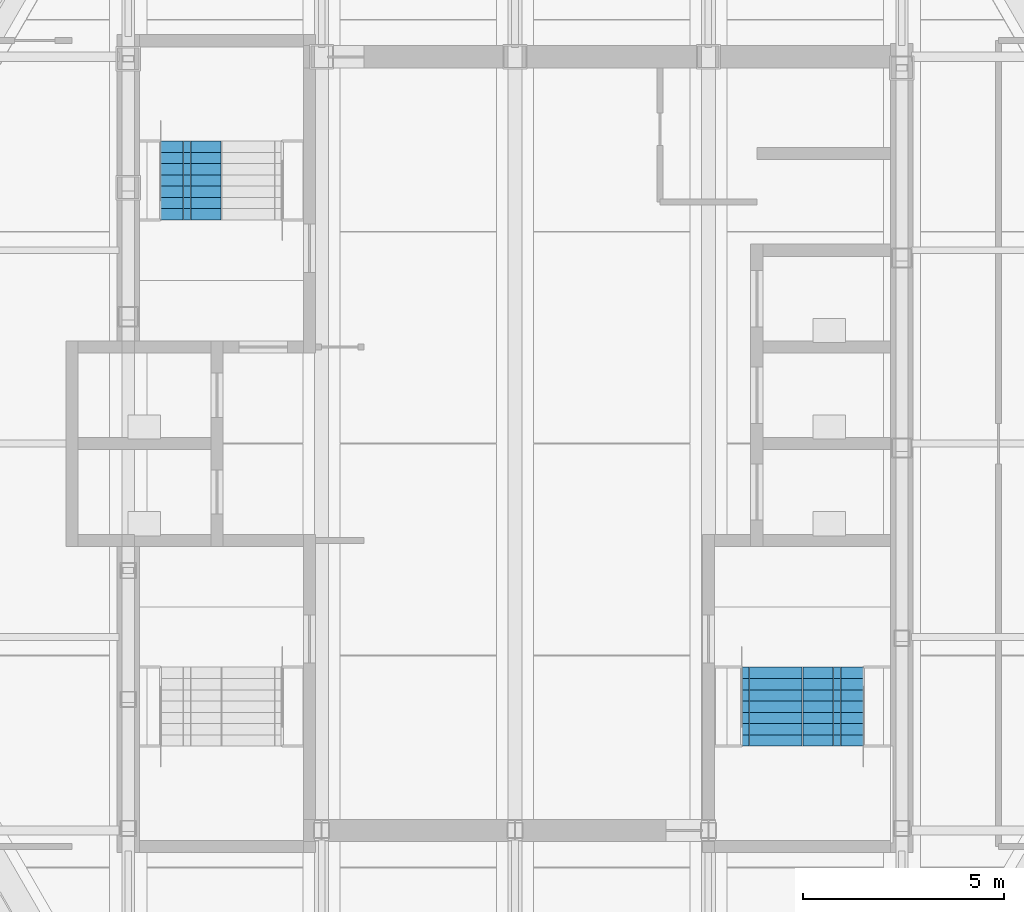
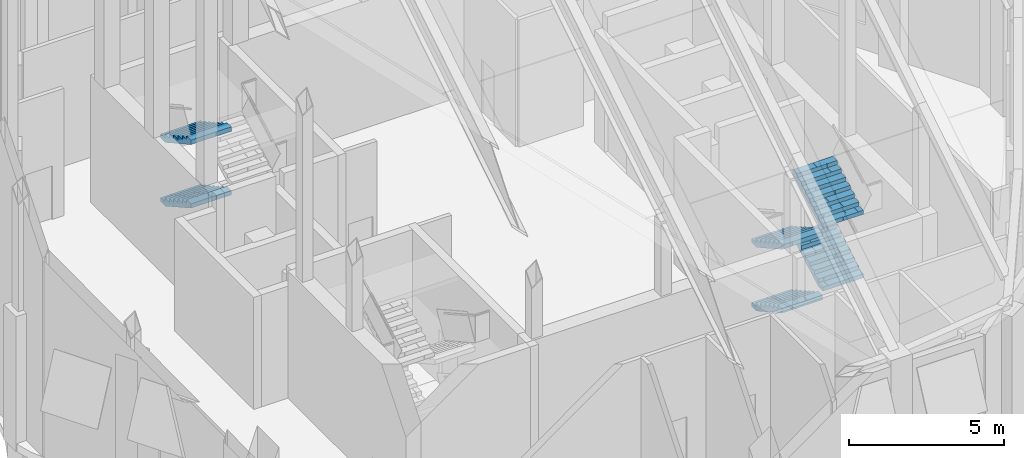
# One storey, part 13 of 25: 6 stair flights, 2 elements without a shape of their own.
"""IFC4 building model written with IfcOpenShell, lengths in metres."""

from ifc_helpers import new_model, si_unit, direction, frame, origin, place, context, subcontext, project, spatial, polyline, outline, extrude, material, type_object, element, aggregate, save


model = new_model("IFC4")

# Units and contexts
model_context = context("Model", 3, precision=1e-05, world=origin(), true_north=direction((0.0, 1.0)))
body_context = subcontext(model_context, "Body", "Model", "MODEL_VIEW")
ifc_project = project(units=[si_unit("LENGTHUNIT", "METRE"), si_unit("AREAUNIT", "SQUARE_METRE"), si_unit("VOLUMEUNIT", "CUBIC_METRE"), si_unit("PLANEANGLEUNIT", "RADIAN"), si_unit("MASSUNIT", "GRAM", prefix="KILO")], contexts=[model_context])

# Site, building, storey
site_placement = place(None, origin())
site = spatial("IfcSite", under=ifc_project, at=site_placement, CompositionType="ELEMENT")
building_placement = place(site_placement, origin())
building = spatial("IfcBuilding", under=site, at=building_placement, Name="Kolab Exchange Tower", CompositionType="ELEMENT")
storey_placement = place(building_placement, frame((0.0, 0.0, 301.89990234375)))
storey = spatial("IfcBuildingStorey", under=building, at=storey_placement, Name="L68", CompositionType="ELEMENT", Elevation=301.89990234375)

# Stair, stair flights
ifc_material = material(Name="Concrete C50/60", Category="concrete")
stair_type_1 = type_object("IfcStairType", Name="STAIR ST1 RISER 156.2", PredefinedType="DOUBLE_RETURN_STAIR", material=ifc_material)
stair_1_placement = place(storey_placement, origin())
stair_1 = element("IfcStair", 1, at=stair_1_placement, inside=storey, type_object=stair_type_1, Name="Stair 1", PredefinedType="DOUBLE_RETURN_STAIR")
stair_flight_type = type_object("IfcStairFlightType", Name="STAIR FLIGHT 1500 RISER 156.2", PredefinedType="STRAIGHT", material=ifc_material)
stair_flight_1_placement = place(storey_placement, frame((-8.047607421875, 7.510009765625, 1.25), z_axis=(0.0, 0.0, 1.0), x_axis=(0.0, -1.0, 0.0)))
stair_flight_1 = element("IfcStairFlight", 2, at=stair_flight_1_placement, type_object=stair_flight_type, Name="ST1 flight 2", NumberOfRisers=8, NumberOfTreads=7, PredefinedType="STRAIGHT", RiserHeight=0.15625, TreadLength=0.28, context=body_context, shape_type="SweptSolid", body=[
    extrude(outline(polyline([(0.0, 0.0), (0.0, 0.15625), (0.280029296875, 0.15625), (0.280029296875, 0.3125), (0.56005859375, 0.3125), (0.56005859375, 0.46875), (0.840087890625, 0.46875), (0.840087890625, 0.625), (1.1201171875, 0.625), (1.1201171875, 0.78125), (1.39990234375, 0.78125), (1.39990234375, 0.9375), (1.679931640625, 0.9375), (1.679931640625, 1.09375), (1.9599609375, 1.09375), (1.9599609375, 1.25), (1.9599609375, 0.922119140625), (0.3076171875, 0.0), (0.0, 0.0)])), frame((0.0, 0.75, 0.0), z_axis=(0.0, -1.0, 0.0), x_axis=(1.0, 0.0, 0.0)), (0.0, 0.0, 1.0), 0.185791015625),
    extrude(outline(polyline([(0.0, 0.0), (0.0, 0.15625), (0.280029296875, 0.15625), (0.280029296875, 0.3125), (0.56005859375, 0.3125), (0.56005859375, 0.46875), (0.840087890625, 0.46875), (0.840087890625, 0.625), (1.1201171875, 0.625), (1.1201171875, 0.78125), (1.39990234375, 0.78125), (1.39990234375, 0.9375), (1.679931640625, 0.9375), (1.679931640625, 1.09375), (1.9599609375, 1.09375), (1.9599609375, 1.25), (1.9599609375, 0.922119140625), (0.3076171875, 0.0), (0.0, 0.0)])), frame((0.0, 0.562255859375, 0.0), z_axis=(0.0, -1.0, 0.0), x_axis=(1.0, 0.0, 0.0)), (0.0, 0.0, 1.0), 0.185791015625),
    extrude(outline(polyline([(0.0, 0.0), (0.0, 0.15625), (0.280029296875, 0.15625), (0.280029296875, 0.3125), (0.56005859375, 0.3125), (0.56005859375, 0.46875), (0.840087890625, 0.46875), (0.840087890625, 0.625), (1.1201171875, 0.625), (1.1201171875, 0.78125), (1.39990234375, 0.78125), (1.39990234375, 0.9375), (1.679931640625, 0.9375), (1.679931640625, 1.09375), (1.9599609375, 1.09375), (1.9599609375, 1.25), (1.9599609375, 0.922119140625), (0.3076171875, 0.0), (0.0, 0.0)])), frame((0.0, 0.37451171875, 0.0), z_axis=(0.0, -1.0, 0.0), x_axis=(1.0, 0.0, 0.0)), (0.0, 0.0, 1.0), 0.185791015625),
    extrude(outline(polyline([(0.0, 0.0), (0.0, 0.15625), (0.280029296875, 0.15625), (0.280029296875, 0.3125), (0.56005859375, 0.3125), (0.56005859375, 0.46875), (0.840087890625, 0.46875), (0.840087890625, 0.625), (1.1201171875, 0.625), (1.1201171875, 0.78125), (1.39990234375, 0.78125), (1.39990234375, 0.9375), (1.679931640625, 0.9375), (1.679931640625, 1.09375), (1.9599609375, 1.09375), (1.9599609375, 1.25), (1.9599609375, 0.922119140625), (0.3076171875, 0.0), (0.0, 0.0)])), frame((0.0, 0.186767578125, 0.0), z_axis=(0.0, -1.0, 0.0), x_axis=(1.0, 0.0, 0.0)), (0.0, 0.0, 1.0), 0.185791015625),
    extrude(outline(polyline([(0.0, 0.0), (0.0, 0.15625), (0.280029296875, 0.15625), (0.280029296875, 0.3125), (0.56005859375, 0.3125), (0.56005859375, 0.46875), (0.840087890625, 0.46875), (0.840087890625, 0.625), (1.1201171875, 0.625), (1.1201171875, 0.78125), (1.39990234375, 0.78125), (1.39990234375, 0.9375), (1.679931640625, 0.9375), (1.679931640625, 1.09375), (1.9599609375, 1.09375), (1.9599609375, 1.25), (1.9599609375, 0.922119140625), (0.3076171875, 0.0), (0.0, 0.0)])), frame((0.0, -0.0009765625, 0.0), z_axis=(0.0, -1.0, 0.0), x_axis=(1.0, 0.0, 0.0)), (0.0, 0.0, 1.0), 0.185791015625),
    extrude(outline(polyline([(0.0, 0.0), (0.0, 0.15625), (0.280029296875, 0.15625), (0.280029296875, 0.3125), (0.56005859375, 0.3125), (0.56005859375, 0.46875), (0.840087890625, 0.46875), (0.840087890625, 0.625), (1.1201171875, 0.625), (1.1201171875, 0.78125), (1.39990234375, 0.78125), (1.39990234375, 0.9375), (1.679931640625, 0.9375), (1.679931640625, 1.09375), (1.9599609375, 1.09375), (1.9599609375, 1.25), (1.9599609375, 0.922119140625), (0.3076171875, 0.0), (0.0, 0.0)])), frame((0.0, -0.188720703125, 0.0), z_axis=(0.0, -1.0, 0.0), x_axis=(1.0, 0.0, 0.0)), (0.0, 0.0, 1.0), 0.185791015625),
    extrude(outline(polyline([(0.0, 0.0), (0.0, 0.15625), (0.280029296875, 0.15625), (0.280029296875, 0.3125), (0.56005859375, 0.3125), (0.56005859375, 0.46875), (0.840087890625, 0.46875), (0.840087890625, 0.625), (1.1201171875, 0.625), (1.1201171875, 0.78125), (1.39990234375, 0.78125), (1.39990234375, 0.9375), (1.679931640625, 0.9375), (1.679931640625, 1.09375), (1.9599609375, 1.09375), (1.9599609375, 1.25), (1.9599609375, 0.922119140625), (0.3076171875, 0.0), (0.0, 0.0)])), frame((0.0, -0.37646484375, 0.0), z_axis=(0.0, -1.0, 0.0), x_axis=(1.0, 0.0, 0.0)), (0.0, 0.0, 1.0), 0.185791015625),
    extrude(outline(polyline([(0.0, 0.0), (0.0, 0.15625), (0.280029296875, 0.15625), (0.280029296875, 0.3125), (0.56005859375, 0.3125), (0.56005859375, 0.46875), (0.840087890625, 0.46875), (0.840087890625, 0.625), (1.1201171875, 0.625), (1.1201171875, 0.78125), (1.39990234375, 0.78125), (1.39990234375, 0.9375), (1.679931640625, 0.9375), (1.679931640625, 1.09375), (1.9599609375, 1.09375), (1.9599609375, 1.25), (1.9599609375, 0.922119140625), (0.3076171875, 0.0), (0.0, 0.0)])), frame((0.0, -0.564208984375, 0.0), z_axis=(0.0, -1.0, 0.0), x_axis=(1.0, 0.0, 0.0)), (0.0, 0.0, 1.0), 0.185791015625),
])
stair_flight_2_placement = place(storey_placement, frame((-8.047607421875, 7.510009765625, 3.75), z_axis=(0.0, 0.0, 1.0), x_axis=(0.0, -1.0, 0.0)))
stair_flight_2 = element("IfcStairFlight", 3, at=stair_flight_2_placement, type_object=stair_flight_type, Name="ST1 flight 4", NumberOfRisers=8, NumberOfTreads=7, PredefinedType="STRAIGHT", RiserHeight=0.15625, TreadLength=0.28, context=body_context, shape_type="SweptSolid", body=[
    extrude(outline(polyline([(0.0, 0.0), (0.0, 0.15625), (0.280029296875, 0.15625), (0.280029296875, 0.3125), (0.56005859375, 0.3125), (0.56005859375, 0.46875), (0.840087890625, 0.46875), (0.840087890625, 0.625), (1.1201171875, 0.625), (1.1201171875, 0.78125), (1.39990234375, 0.78125), (1.39990234375, 0.9375), (1.679931640625, 0.9375), (1.679931640625, 1.09375), (1.9599609375, 1.09375), (1.9599609375, 1.25), (1.9599609375, 0.922119140625), (0.3076171875, 0.0), (0.0, 0.0)])), frame((0.0, 0.75, 0.0), z_axis=(0.0, -1.0, 0.0), x_axis=(1.0, 0.0, 0.0)), (0.0, 0.0, 1.0), 0.185791015625),
    extrude(outline(polyline([(0.0, 0.0), (0.0, 0.15625), (0.280029296875, 0.15625), (0.280029296875, 0.3125), (0.56005859375, 0.3125), (0.56005859375, 0.46875), (0.840087890625, 0.46875), (0.840087890625, 0.625), (1.1201171875, 0.625), (1.1201171875, 0.78125), (1.39990234375, 0.78125), (1.39990234375, 0.9375), (1.679931640625, 0.9375), (1.679931640625, 1.09375), (1.9599609375, 1.09375), (1.9599609375, 1.25), (1.9599609375, 0.922119140625), (0.3076171875, 0.0), (0.0, 0.0)])), frame((0.0, 0.562255859375, 0.0), z_axis=(0.0, -1.0, 0.0), x_axis=(1.0, 0.0, 0.0)), (0.0, 0.0, 1.0), 0.185791015625),
    extrude(outline(polyline([(0.0, 0.0), (0.0, 0.15625), (0.280029296875, 0.15625), (0.280029296875, 0.3125), (0.56005859375, 0.3125), (0.56005859375, 0.46875), (0.840087890625, 0.46875), (0.840087890625, 0.625), (1.1201171875, 0.625), (1.1201171875, 0.78125), (1.39990234375, 0.78125), (1.39990234375, 0.9375), (1.679931640625, 0.9375), (1.679931640625, 1.09375), (1.9599609375, 1.09375), (1.9599609375, 1.25), (1.9599609375, 0.922119140625), (0.3076171875, 0.0), (0.0, 0.0)])), frame((0.0, 0.37451171875, 0.0), z_axis=(0.0, -1.0, 0.0), x_axis=(1.0, 0.0, 0.0)), (0.0, 0.0, 1.0), 0.185791015625),
    extrude(outline(polyline([(0.0, 0.0), (0.0, 0.15625), (0.280029296875, 0.15625), (0.280029296875, 0.3125), (0.56005859375, 0.3125), (0.56005859375, 0.46875), (0.840087890625, 0.46875), (0.840087890625, 0.625), (1.1201171875, 0.625), (1.1201171875, 0.78125), (1.39990234375, 0.78125), (1.39990234375, 0.9375), (1.679931640625, 0.9375), (1.679931640625, 1.09375), (1.9599609375, 1.09375), (1.9599609375, 1.25), (1.9599609375, 0.922119140625), (0.3076171875, 0.0), (0.0, 0.0)])), frame((0.0, 0.186767578125, 0.0), z_axis=(0.0, -1.0, 0.0), x_axis=(1.0, 0.0, 0.0)), (0.0, 0.0, 1.0), 0.185791015625),
    extrude(outline(polyline([(0.0, 0.0), (0.0, 0.15625), (0.280029296875, 0.15625), (0.280029296875, 0.3125), (0.56005859375, 0.3125), (0.56005859375, 0.46875), (0.840087890625, 0.46875), (0.840087890625, 0.625), (1.1201171875, 0.625), (1.1201171875, 0.78125), (1.39990234375, 0.78125), (1.39990234375, 0.9375), (1.679931640625, 0.9375), (1.679931640625, 1.09375), (1.9599609375, 1.09375), (1.9599609375, 1.25), (1.9599609375, 0.922119140625), (0.3076171875, 0.0), (0.0, 0.0)])), frame((0.0, -0.0009765625, 0.0), z_axis=(0.0, -1.0, 0.0), x_axis=(1.0, 0.0, 0.0)), (0.0, 0.0, 1.0), 0.185791015625),
    extrude(outline(polyline([(0.0, 0.0), (0.0, 0.15625), (0.280029296875, 0.15625), (0.280029296875, 0.3125), (0.56005859375, 0.3125), (0.56005859375, 0.46875), (0.840087890625, 0.46875), (0.840087890625, 0.625), (1.1201171875, 0.625), (1.1201171875, 0.78125), (1.39990234375, 0.78125), (1.39990234375, 0.9375), (1.679931640625, 0.9375), (1.679931640625, 1.09375), (1.9599609375, 1.09375), (1.9599609375, 1.25), (1.9599609375, 0.922119140625), (0.3076171875, 0.0), (0.0, 0.0)])), frame((0.0, -0.188720703125, 0.0), z_axis=(0.0, -1.0, 0.0), x_axis=(1.0, 0.0, 0.0)), (0.0, 0.0, 1.0), 0.185791015625),
    extrude(outline(polyline([(0.0, 0.0), (0.0, 0.15625), (0.280029296875, 0.15625), (0.280029296875, 0.3125), (0.56005859375, 0.3125), (0.56005859375, 0.46875), (0.840087890625, 0.46875), (0.840087890625, 0.625), (1.1201171875, 0.625), (1.1201171875, 0.78125), (1.39990234375, 0.78125), (1.39990234375, 0.9375), (1.679931640625, 0.9375), (1.679931640625, 1.09375), (1.9599609375, 1.09375), (1.9599609375, 1.25), (1.9599609375, 0.922119140625), (0.3076171875, 0.0), (0.0, 0.0)])), frame((0.0, -0.37646484375, 0.0), z_axis=(0.0, -1.0, 0.0), x_axis=(1.0, 0.0, 0.0)), (0.0, 0.0, 1.0), 0.185791015625),
    extrude(outline(polyline([(0.0, 0.0), (0.0, 0.15625), (0.280029296875, 0.15625), (0.280029296875, 0.3125), (0.56005859375, 0.3125), (0.56005859375, 0.46875), (0.840087890625, 0.46875), (0.840087890625, 0.625), (1.1201171875, 0.625), (1.1201171875, 0.78125), (1.39990234375, 0.78125), (1.39990234375, 0.9375), (1.679931640625, 0.9375), (1.679931640625, 1.09375), (1.9599609375, 1.09375), (1.9599609375, 1.25), (1.9599609375, 0.922119140625), (0.3076171875, 0.0), (0.0, 0.0)])), frame((0.0, -0.564208984375, 0.0), z_axis=(0.0, -1.0, 0.0), x_axis=(1.0, 0.0, 0.0)), (0.0, 0.0, 1.0), 0.185791015625),
])
aggregate(stair_1, [stair_flight_1, stair_flight_2])

stair_type_2 = type_object("IfcStairType", Name="STAIR ST2 RISER 156.2", PredefinedType="DOUBLE_RETURN_STAIR", material=ifc_material)
stair_2_placement = place(storey_placement, origin())
stair_2 = element("IfcStair", 4, at=stair_2_placement, inside=storey, type_object=stair_type_2, Name="Stair 2", PredefinedType="DOUBLE_RETURN_STAIR")
stair_flight_3_placement = place(storey_placement, frame((6.37744140625, -5.550048828125, 0.0), z_axis=(0.0, 0.0, 1.0), x_axis=(0.0, -1.0, 0.0)))
stair_flight_3 = element("IfcStairFlight", 5, at=stair_flight_3_placement, type_object=stair_flight_type, Name="ST2 flight 1", NumberOfRisers=8, NumberOfTreads=7, PredefinedType="STRAIGHT", RiserHeight=0.15625, TreadLength=0.28, context=body_context, shape_type="SweptSolid", body=[
    extrude(outline(polyline([(0.0, 0.0), (0.0, 0.15625), (0.280029296875, 0.15625), (0.280029296875, 0.3125), (0.56005859375, 0.3125), (0.56005859375, 0.46875), (0.840087890625, 0.46875), (0.840087890625, 0.625), (1.1201171875, 0.625), (1.1201171875, 0.78125), (1.39990234375, 0.78125), (1.39990234375, 0.9375), (1.679931640625, 0.9375), (1.679931640625, 1.09375), (1.9599609375, 1.09375), (1.9599609375, 1.25), (1.9599609375, 0.922119140625), (0.3076171875, 0.0), (0.0, 0.0)])), frame((0.0, 0.75, 0.0), z_axis=(0.0, -1.0, 0.0), x_axis=(1.0, 0.0, 0.0)), (0.0, 0.0, 1.0), 0.185791015625),
    extrude(outline(polyline([(0.0, 0.0), (0.0, 0.15625), (0.280029296875, 0.15625), (0.280029296875, 0.3125), (0.56005859375, 0.3125), (0.56005859375, 0.46875), (0.840087890625, 0.46875), (0.840087890625, 0.625), (1.1201171875, 0.625), (1.1201171875, 0.78125), (1.39990234375, 0.78125), (1.39990234375, 0.9375), (1.679931640625, 0.9375), (1.679931640625, 1.09375), (1.9599609375, 1.09375), (1.9599609375, 1.25), (1.9599609375, 0.922119140625), (0.3076171875, 0.0), (0.0, 0.0)])), frame((0.0, 0.562255859375, 0.0), z_axis=(0.0, -1.0, 0.0), x_axis=(1.0, 0.0, 0.0)), (0.0, 0.0, 1.0), 0.185791015625),
    extrude(outline(polyline([(0.0, 0.0), (0.0, 0.15625), (0.280029296875, 0.15625), (0.280029296875, 0.3125), (0.56005859375, 0.3125), (0.56005859375, 0.46875), (0.840087890625, 0.46875), (0.840087890625, 0.625), (1.1201171875, 0.625), (1.1201171875, 0.78125), (1.39990234375, 0.78125), (1.39990234375, 0.9375), (1.679931640625, 0.9375), (1.679931640625, 1.09375), (1.9599609375, 1.09375), (1.9599609375, 1.25), (1.9599609375, 0.922119140625), (0.3076171875, 0.0), (0.0, 0.0)])), frame((0.0, 0.37451171875, 0.0), z_axis=(0.0, -1.0, 0.0), x_axis=(1.0, 0.0, 0.0)), (0.0, 0.0, 1.0), 0.185791015625),
    extrude(outline(polyline([(0.0, 0.0), (0.0, 0.15625), (0.280029296875, 0.15625), (0.280029296875, 0.3125), (0.56005859375, 0.3125), (0.56005859375, 0.46875), (0.840087890625, 0.46875), (0.840087890625, 0.625), (1.1201171875, 0.625), (1.1201171875, 0.78125), (1.39990234375, 0.78125), (1.39990234375, 0.9375), (1.679931640625, 0.9375), (1.679931640625, 1.09375), (1.9599609375, 1.09375), (1.9599609375, 1.25), (1.9599609375, 0.922119140625), (0.3076171875, 0.0), (0.0, 0.0)])), frame((0.0, 0.186767578125, 0.0), z_axis=(0.0, -1.0, 0.0), x_axis=(1.0, 0.0, 0.0)), (0.0, 0.0, 1.0), 0.185791015625),
    extrude(outline(polyline([(0.0, 0.0), (0.0, 0.15625), (0.280029296875, 0.15625), (0.280029296875, 0.3125), (0.56005859375, 0.3125), (0.56005859375, 0.46875), (0.840087890625, 0.46875), (0.840087890625, 0.625), (1.1201171875, 0.625), (1.1201171875, 0.78125), (1.39990234375, 0.78125), (1.39990234375, 0.9375), (1.679931640625, 0.9375), (1.679931640625, 1.09375), (1.9599609375, 1.09375), (1.9599609375, 1.25), (1.9599609375, 0.922119140625), (0.3076171875, 0.0), (0.0, 0.0)])), frame((0.0, -0.0009765625, 0.0), z_axis=(0.0, -1.0, 0.0), x_axis=(1.0, 0.0, 0.0)), (0.0, 0.0, 1.0), 0.185791015625),
    extrude(outline(polyline([(0.0, 0.0), (0.0, 0.15625), (0.280029296875, 0.15625), (0.280029296875, 0.3125), (0.56005859375, 0.3125), (0.56005859375, 0.46875), (0.840087890625, 0.46875), (0.840087890625, 0.625), (1.1201171875, 0.625), (1.1201171875, 0.78125), (1.39990234375, 0.78125), (1.39990234375, 0.9375), (1.679931640625, 0.9375), (1.679931640625, 1.09375), (1.9599609375, 1.09375), (1.9599609375, 1.25), (1.9599609375, 0.922119140625), (0.3076171875, 0.0), (0.0, 0.0)])), frame((0.0, -0.188720703125, 0.0), z_axis=(0.0, -1.0, 0.0), x_axis=(1.0, 0.0, 0.0)), (0.0, 0.0, 1.0), 0.185791015625),
    extrude(outline(polyline([(0.0, 0.0), (0.0, 0.15625), (0.280029296875, 0.15625), (0.280029296875, 0.3125), (0.56005859375, 0.3125), (0.56005859375, 0.46875), (0.840087890625, 0.46875), (0.840087890625, 0.625), (1.1201171875, 0.625), (1.1201171875, 0.78125), (1.39990234375, 0.78125), (1.39990234375, 0.9375), (1.679931640625, 0.9375), (1.679931640625, 1.09375), (1.9599609375, 1.09375), (1.9599609375, 1.25), (1.9599609375, 0.922119140625), (0.3076171875, 0.0), (0.0, 0.0)])), frame((0.0, -0.37646484375, 0.0), z_axis=(0.0, -1.0, 0.0), x_axis=(1.0, 0.0, 0.0)), (0.0, 0.0, 1.0), 0.185791015625),
    extrude(outline(polyline([(0.0, 0.0), (0.0, 0.15625), (0.280029296875, 0.15625), (0.280029296875, 0.3125), (0.56005859375, 0.3125), (0.56005859375, 0.46875), (0.840087890625, 0.46875), (0.840087890625, 0.625), (1.1201171875, 0.625), (1.1201171875, 0.78125), (1.39990234375, 0.78125), (1.39990234375, 0.9375), (1.679931640625, 0.9375), (1.679931640625, 1.09375), (1.9599609375, 1.09375), (1.9599609375, 1.25), (1.9599609375, 0.922119140625), (0.3076171875, 0.0), (0.0, 0.0)])), frame((0.0, -0.564208984375, 0.0), z_axis=(0.0, -1.0, 0.0), x_axis=(1.0, 0.0, 0.0)), (0.0, 0.0, 1.0), 0.185791015625),
])
stair_flight_4_placement = place(storey_placement, frame((7.8974609375, -7.510009765625, 1.25), z_axis=(0.0, 0.0, 1.0), x_axis=(0.0, 1.0, 0.0)))
stair_flight_4 = element("IfcStairFlight", 6, at=stair_flight_4_placement, type_object=stair_flight_type, Name="ST2 flight 2", NumberOfRisers=8, NumberOfTreads=7, PredefinedType="STRAIGHT", RiserHeight=0.15625, TreadLength=0.28, context=body_context, shape_type="SweptSolid", body=[
    extrude(outline(polyline([(0.0, 0.0), (0.0, 0.15625), (0.280029296875, 0.15625), (0.280029296875, 0.3125), (0.56005859375, 0.3125), (0.56005859375, 0.46875), (0.840087890625, 0.46875), (0.840087890625, 0.625), (1.1201171875, 0.625), (1.1201171875, 0.78125), (1.39990234375, 0.78125), (1.39990234375, 0.9375), (1.679931640625, 0.9375), (1.679931640625, 1.09375), (1.9599609375, 1.09375), (1.9599609375, 1.25), (1.9599609375, 0.922119140625), (0.3076171875, 0.0), (0.0, 0.0)])), frame((0.0, 0.75, 0.0), z_axis=(0.0, -1.0, 0.0), x_axis=(1.0, 0.0, 0.0)), (0.0, 0.0, 1.0), 0.185791015625),
    extrude(outline(polyline([(0.0, 0.0), (0.0, 0.15625), (0.280029296875, 0.15625), (0.280029296875, 0.3125), (0.56005859375, 0.3125), (0.56005859375, 0.46875), (0.840087890625, 0.46875), (0.840087890625, 0.625), (1.1201171875, 0.625), (1.1201171875, 0.78125), (1.39990234375, 0.78125), (1.39990234375, 0.9375), (1.679931640625, 0.9375), (1.679931640625, 1.09375), (1.9599609375, 1.09375), (1.9599609375, 1.25), (1.9599609375, 0.922119140625), (0.3076171875, 0.0), (0.0, 0.0)])), frame((0.0, 0.562255859375, 0.0), z_axis=(0.0, -1.0, 0.0), x_axis=(1.0, 0.0, 0.0)), (0.0, 0.0, 1.0), 0.185791015625),
    extrude(outline(polyline([(0.0, 0.0), (0.0, 0.15625), (0.280029296875, 0.15625), (0.280029296875, 0.3125), (0.56005859375, 0.3125), (0.56005859375, 0.46875), (0.840087890625, 0.46875), (0.840087890625, 0.625), (1.1201171875, 0.625), (1.1201171875, 0.78125), (1.39990234375, 0.78125), (1.39990234375, 0.9375), (1.679931640625, 0.9375), (1.679931640625, 1.09375), (1.9599609375, 1.09375), (1.9599609375, 1.25), (1.9599609375, 0.922119140625), (0.3076171875, 0.0), (0.0, 0.0)])), frame((0.0, 0.37451171875, 0.0), z_axis=(0.0, -1.0, 0.0), x_axis=(1.0, 0.0, 0.0)), (0.0, 0.0, 1.0), 0.185791015625),
    extrude(outline(polyline([(0.0, 0.0), (0.0, 0.15625), (0.280029296875, 0.15625), (0.280029296875, 0.3125), (0.56005859375, 0.3125), (0.56005859375, 0.46875), (0.840087890625, 0.46875), (0.840087890625, 0.625), (1.1201171875, 0.625), (1.1201171875, 0.78125), (1.39990234375, 0.78125), (1.39990234375, 0.9375), (1.679931640625, 0.9375), (1.679931640625, 1.09375), (1.9599609375, 1.09375), (1.9599609375, 1.25), (1.9599609375, 0.922119140625), (0.3076171875, 0.0), (0.0, 0.0)])), frame((0.0, 0.186767578125, 0.0), z_axis=(0.0, -1.0, 0.0), x_axis=(1.0, 0.0, 0.0)), (0.0, 0.0, 1.0), 0.185791015625),
    extrude(outline(polyline([(0.0, 0.0), (0.0, 0.15625), (0.280029296875, 0.15625), (0.280029296875, 0.3125), (0.56005859375, 0.3125), (0.56005859375, 0.46875), (0.840087890625, 0.46875), (0.840087890625, 0.625), (1.1201171875, 0.625), (1.1201171875, 0.78125), (1.39990234375, 0.78125), (1.39990234375, 0.9375), (1.679931640625, 0.9375), (1.679931640625, 1.09375), (1.9599609375, 1.09375), (1.9599609375, 1.25), (1.9599609375, 0.922119140625), (0.3076171875, 0.0), (0.0, 0.0)])), frame((0.0, -0.0009765625, 0.0), z_axis=(0.0, -1.0, 0.0), x_axis=(1.0, 0.0, 0.0)), (0.0, 0.0, 1.0), 0.185791015625),
    extrude(outline(polyline([(0.0, 0.0), (0.0, 0.15625), (0.280029296875, 0.15625), (0.280029296875, 0.3125), (0.56005859375, 0.3125), (0.56005859375, 0.46875), (0.840087890625, 0.46875), (0.840087890625, 0.625), (1.1201171875, 0.625), (1.1201171875, 0.78125), (1.39990234375, 0.78125), (1.39990234375, 0.9375), (1.679931640625, 0.9375), (1.679931640625, 1.09375), (1.9599609375, 1.09375), (1.9599609375, 1.25), (1.9599609375, 0.922119140625), (0.3076171875, 0.0), (0.0, 0.0)])), frame((0.0, -0.188720703125, 0.0), z_axis=(0.0, -1.0, 0.0), x_axis=(1.0, 0.0, 0.0)), (0.0, 0.0, 1.0), 0.185791015625),
    extrude(outline(polyline([(0.0, 0.0), (0.0, 0.15625), (0.280029296875, 0.15625), (0.280029296875, 0.3125), (0.56005859375, 0.3125), (0.56005859375, 0.46875), (0.840087890625, 0.46875), (0.840087890625, 0.625), (1.1201171875, 0.625), (1.1201171875, 0.78125), (1.39990234375, 0.78125), (1.39990234375, 0.9375), (1.679931640625, 0.9375), (1.679931640625, 1.09375), (1.9599609375, 1.09375), (1.9599609375, 1.25), (1.9599609375, 0.922119140625), (0.3076171875, 0.0), (0.0, 0.0)])), frame((0.0, -0.37646484375, 0.0), z_axis=(0.0, -1.0, 0.0), x_axis=(1.0, 0.0, 0.0)), (0.0, 0.0, 1.0), 0.185791015625),
    extrude(outline(polyline([(0.0, 0.0), (0.0, 0.15625), (0.280029296875, 0.15625), (0.280029296875, 0.3125), (0.56005859375, 0.3125), (0.56005859375, 0.46875), (0.840087890625, 0.46875), (0.840087890625, 0.625), (1.1201171875, 0.625), (1.1201171875, 0.78125), (1.39990234375, 0.78125), (1.39990234375, 0.9375), (1.679931640625, 0.9375), (1.679931640625, 1.09375), (1.9599609375, 1.09375), (1.9599609375, 1.25), (1.9599609375, 0.922119140625), (0.3076171875, 0.0), (0.0, 0.0)])), frame((0.0, -0.564208984375, 0.0), z_axis=(0.0, -1.0, 0.0), x_axis=(1.0, 0.0, 0.0)), (0.0, 0.0, 1.0), 0.185791015625),
])
stair_flight_5_placement = place(storey_placement, frame((6.37744140625, -5.550048828125, 2.5), z_axis=(0.0, 0.0, 1.0), x_axis=(0.0, -1.0, 0.0)))
stair_flight_5 = element("IfcStairFlight", 7, at=stair_flight_5_placement, type_object=stair_flight_type, Name="ST2 flight 3", NumberOfRisers=8, NumberOfTreads=7, PredefinedType="STRAIGHT", RiserHeight=0.15625, TreadLength=0.28, context=body_context, shape_type="SweptSolid", body=[
    extrude(outline(polyline([(0.0, 0.0), (0.0, 0.15625), (0.280029296875, 0.15625), (0.280029296875, 0.3125), (0.56005859375, 0.3125), (0.56005859375, 0.46875), (0.840087890625, 0.46875), (0.840087890625, 0.625), (1.1201171875, 0.625), (1.1201171875, 0.78125), (1.39990234375, 0.78125), (1.39990234375, 0.9375), (1.679931640625, 0.9375), (1.679931640625, 1.09375), (1.9599609375, 1.09375), (1.9599609375, 1.25), (1.9599609375, 0.922119140625), (0.3076171875, 0.0), (0.0, 0.0)])), frame((0.0, 0.75, 0.0), z_axis=(0.0, -1.0, 0.0), x_axis=(1.0, 0.0, 0.0)), (0.0, 0.0, 1.0), 0.185791015625),
    extrude(outline(polyline([(0.0, 0.0), (0.0, 0.15625), (0.280029296875, 0.15625), (0.280029296875, 0.3125), (0.56005859375, 0.3125), (0.56005859375, 0.46875), (0.840087890625, 0.46875), (0.840087890625, 0.625), (1.1201171875, 0.625), (1.1201171875, 0.78125), (1.39990234375, 0.78125), (1.39990234375, 0.9375), (1.679931640625, 0.9375), (1.679931640625, 1.09375), (1.9599609375, 1.09375), (1.9599609375, 1.25), (1.9599609375, 0.922119140625), (0.3076171875, 0.0), (0.0, 0.0)])), frame((0.0, 0.562255859375, 0.0), z_axis=(0.0, -1.0, 0.0), x_axis=(1.0, 0.0, 0.0)), (0.0, 0.0, 1.0), 0.185791015625),
    extrude(outline(polyline([(0.0, 0.0), (0.0, 0.15625), (0.280029296875, 0.15625), (0.280029296875, 0.3125), (0.56005859375, 0.3125), (0.56005859375, 0.46875), (0.840087890625, 0.46875), (0.840087890625, 0.625), (1.1201171875, 0.625), (1.1201171875, 0.78125), (1.39990234375, 0.78125), (1.39990234375, 0.9375), (1.679931640625, 0.9375), (1.679931640625, 1.09375), (1.9599609375, 1.09375), (1.9599609375, 1.25), (1.9599609375, 0.922119140625), (0.3076171875, 0.0), (0.0, 0.0)])), frame((0.0, 0.37451171875, 0.0), z_axis=(0.0, -1.0, 0.0), x_axis=(1.0, 0.0, 0.0)), (0.0, 0.0, 1.0), 0.185791015625),
    extrude(outline(polyline([(0.0, 0.0), (0.0, 0.15625), (0.280029296875, 0.15625), (0.280029296875, 0.3125), (0.56005859375, 0.3125), (0.56005859375, 0.46875), (0.840087890625, 0.46875), (0.840087890625, 0.625), (1.1201171875, 0.625), (1.1201171875, 0.78125), (1.39990234375, 0.78125), (1.39990234375, 0.9375), (1.679931640625, 0.9375), (1.679931640625, 1.09375), (1.9599609375, 1.09375), (1.9599609375, 1.25), (1.9599609375, 0.922119140625), (0.3076171875, 0.0), (0.0, 0.0)])), frame((0.0, 0.186767578125, 0.0), z_axis=(0.0, -1.0, 0.0), x_axis=(1.0, 0.0, 0.0)), (0.0, 0.0, 1.0), 0.185791015625),
    extrude(outline(polyline([(0.0, 0.0), (0.0, 0.15625), (0.280029296875, 0.15625), (0.280029296875, 0.3125), (0.56005859375, 0.3125), (0.56005859375, 0.46875), (0.840087890625, 0.46875), (0.840087890625, 0.625), (1.1201171875, 0.625), (1.1201171875, 0.78125), (1.39990234375, 0.78125), (1.39990234375, 0.9375), (1.679931640625, 0.9375), (1.679931640625, 1.09375), (1.9599609375, 1.09375), (1.9599609375, 1.25), (1.9599609375, 0.922119140625), (0.3076171875, 0.0), (0.0, 0.0)])), frame((0.0, -0.0009765625, 0.0), z_axis=(0.0, -1.0, 0.0), x_axis=(1.0, 0.0, 0.0)), (0.0, 0.0, 1.0), 0.185791015625),
    extrude(outline(polyline([(0.0, 0.0), (0.0, 0.15625), (0.280029296875, 0.15625), (0.280029296875, 0.3125), (0.56005859375, 0.3125), (0.56005859375, 0.46875), (0.840087890625, 0.46875), (0.840087890625, 0.625), (1.1201171875, 0.625), (1.1201171875, 0.78125), (1.39990234375, 0.78125), (1.39990234375, 0.9375), (1.679931640625, 0.9375), (1.679931640625, 1.09375), (1.9599609375, 1.09375), (1.9599609375, 1.25), (1.9599609375, 0.922119140625), (0.3076171875, 0.0), (0.0, 0.0)])), frame((0.0, -0.188720703125, 0.0), z_axis=(0.0, -1.0, 0.0), x_axis=(1.0, 0.0, 0.0)), (0.0, 0.0, 1.0), 0.185791015625),
    extrude(outline(polyline([(0.0, 0.0), (0.0, 0.15625), (0.280029296875, 0.15625), (0.280029296875, 0.3125), (0.56005859375, 0.3125), (0.56005859375, 0.46875), (0.840087890625, 0.46875), (0.840087890625, 0.625), (1.1201171875, 0.625), (1.1201171875, 0.78125), (1.39990234375, 0.78125), (1.39990234375, 0.9375), (1.679931640625, 0.9375), (1.679931640625, 1.09375), (1.9599609375, 1.09375), (1.9599609375, 1.25), (1.9599609375, 0.922119140625), (0.3076171875, 0.0), (0.0, 0.0)])), frame((0.0, -0.37646484375, 0.0), z_axis=(0.0, -1.0, 0.0), x_axis=(1.0, 0.0, 0.0)), (0.0, 0.0, 1.0), 0.185791015625),
    extrude(outline(polyline([(0.0, 0.0), (0.0, 0.15625), (0.280029296875, 0.15625), (0.280029296875, 0.3125), (0.56005859375, 0.3125), (0.56005859375, 0.46875), (0.840087890625, 0.46875), (0.840087890625, 0.625), (1.1201171875, 0.625), (1.1201171875, 0.78125), (1.39990234375, 0.78125), (1.39990234375, 0.9375), (1.679931640625, 0.9375), (1.679931640625, 1.09375), (1.9599609375, 1.09375), (1.9599609375, 1.25), (1.9599609375, 0.922119140625), (0.3076171875, 0.0), (0.0, 0.0)])), frame((0.0, -0.564208984375, 0.0), z_axis=(0.0, -1.0, 0.0), x_axis=(1.0, 0.0, 0.0)), (0.0, 0.0, 1.0), 0.185791015625),
])
stair_flight_6_placement = place(storey_placement, frame((7.8974609375, -7.510009765625, 3.75), z_axis=(0.0, 0.0, 1.0), x_axis=(0.0, 1.0, 0.0)))
stair_flight_6 = element("IfcStairFlight", 8, at=stair_flight_6_placement, type_object=stair_flight_type, Name="ST2 flight 4", NumberOfRisers=8, NumberOfTreads=7, PredefinedType="STRAIGHT", RiserHeight=0.15625, TreadLength=0.28, context=body_context, shape_type="SweptSolid", body=[
    extrude(outline(polyline([(0.0, 0.0), (0.0, 0.15625), (0.280029296875, 0.15625), (0.280029296875, 0.3125), (0.56005859375, 0.3125), (0.56005859375, 0.46875), (0.840087890625, 0.46875), (0.840087890625, 0.625), (1.1201171875, 0.625), (1.1201171875, 0.78125), (1.39990234375, 0.78125), (1.39990234375, 0.9375), (1.679931640625, 0.9375), (1.679931640625, 1.09375), (1.9599609375, 1.09375), (1.9599609375, 1.25), (1.9599609375, 0.922119140625), (0.3076171875, 0.0), (0.0, 0.0)])), frame((0.0, 0.75, 0.0), z_axis=(0.0, -1.0, 0.0), x_axis=(1.0, 0.0, 0.0)), (0.0, 0.0, 1.0), 0.185791015625),
    extrude(outline(polyline([(0.0, 0.0), (0.0, 0.15625), (0.280029296875, 0.15625), (0.280029296875, 0.3125), (0.56005859375, 0.3125), (0.56005859375, 0.46875), (0.840087890625, 0.46875), (0.840087890625, 0.625), (1.1201171875, 0.625), (1.1201171875, 0.78125), (1.39990234375, 0.78125), (1.39990234375, 0.9375), (1.679931640625, 0.9375), (1.679931640625, 1.09375), (1.9599609375, 1.09375), (1.9599609375, 1.25), (1.9599609375, 0.922119140625), (0.3076171875, 0.0), (0.0, 0.0)])), frame((0.0, 0.562255859375, 0.0), z_axis=(0.0, -1.0, 0.0), x_axis=(1.0, 0.0, 0.0)), (0.0, 0.0, 1.0), 0.185791015625),
    extrude(outline(polyline([(0.0, 0.0), (0.0, 0.15625), (0.280029296875, 0.15625), (0.280029296875, 0.3125), (0.56005859375, 0.3125), (0.56005859375, 0.46875), (0.840087890625, 0.46875), (0.840087890625, 0.625), (1.1201171875, 0.625), (1.1201171875, 0.78125), (1.39990234375, 0.78125), (1.39990234375, 0.9375), (1.679931640625, 0.9375), (1.679931640625, 1.09375), (1.9599609375, 1.09375), (1.9599609375, 1.25), (1.9599609375, 0.922119140625), (0.3076171875, 0.0), (0.0, 0.0)])), frame((0.0, 0.37451171875, 0.0), z_axis=(0.0, -1.0, 0.0), x_axis=(1.0, 0.0, 0.0)), (0.0, 0.0, 1.0), 0.185791015625),
    extrude(outline(polyline([(0.0, 0.0), (0.0, 0.15625), (0.280029296875, 0.15625), (0.280029296875, 0.3125), (0.56005859375, 0.3125), (0.56005859375, 0.46875), (0.840087890625, 0.46875), (0.840087890625, 0.625), (1.1201171875, 0.625), (1.1201171875, 0.78125), (1.39990234375, 0.78125), (1.39990234375, 0.9375), (1.679931640625, 0.9375), (1.679931640625, 1.09375), (1.9599609375, 1.09375), (1.9599609375, 1.25), (1.9599609375, 0.922119140625), (0.3076171875, 0.0), (0.0, 0.0)])), frame((0.0, 0.186767578125, 0.0), z_axis=(0.0, -1.0, 0.0), x_axis=(1.0, 0.0, 0.0)), (0.0, 0.0, 1.0), 0.185791015625),
    extrude(outline(polyline([(0.0, 0.0), (0.0, 0.15625), (0.280029296875, 0.15625), (0.280029296875, 0.3125), (0.56005859375, 0.3125), (0.56005859375, 0.46875), (0.840087890625, 0.46875), (0.840087890625, 0.625), (1.1201171875, 0.625), (1.1201171875, 0.78125), (1.39990234375, 0.78125), (1.39990234375, 0.9375), (1.679931640625, 0.9375), (1.679931640625, 1.09375), (1.9599609375, 1.09375), (1.9599609375, 1.25), (1.9599609375, 0.922119140625), (0.3076171875, 0.0), (0.0, 0.0)])), frame((0.0, -0.0009765625, 0.0), z_axis=(0.0, -1.0, 0.0), x_axis=(1.0, 0.0, 0.0)), (0.0, 0.0, 1.0), 0.185791015625),
    extrude(outline(polyline([(0.0, 0.0), (0.0, 0.15625), (0.280029296875, 0.15625), (0.280029296875, 0.3125), (0.56005859375, 0.3125), (0.56005859375, 0.46875), (0.840087890625, 0.46875), (0.840087890625, 0.625), (1.1201171875, 0.625), (1.1201171875, 0.78125), (1.39990234375, 0.78125), (1.39990234375, 0.9375), (1.679931640625, 0.9375), (1.679931640625, 1.09375), (1.9599609375, 1.09375), (1.9599609375, 1.25), (1.9599609375, 0.922119140625), (0.3076171875, 0.0), (0.0, 0.0)])), frame((0.0, -0.188720703125, 0.0), z_axis=(0.0, -1.0, 0.0), x_axis=(1.0, 0.0, 0.0)), (0.0, 0.0, 1.0), 0.185791015625),
    extrude(outline(polyline([(0.0, 0.0), (0.0, 0.15625), (0.280029296875, 0.15625), (0.280029296875, 0.3125), (0.56005859375, 0.3125), (0.56005859375, 0.46875), (0.840087890625, 0.46875), (0.840087890625, 0.625), (1.1201171875, 0.625), (1.1201171875, 0.78125), (1.39990234375, 0.78125), (1.39990234375, 0.9375), (1.679931640625, 0.9375), (1.679931640625, 1.09375), (1.9599609375, 1.09375), (1.9599609375, 1.25), (1.9599609375, 0.922119140625), (0.3076171875, 0.0), (0.0, 0.0)])), frame((0.0, -0.37646484375, 0.0), z_axis=(0.0, -1.0, 0.0), x_axis=(1.0, 0.0, 0.0)), (0.0, 0.0, 1.0), 0.185791015625),
    extrude(outline(polyline([(0.0, 0.0), (0.0, 0.15625), (0.280029296875, 0.15625), (0.280029296875, 0.3125), (0.56005859375, 0.3125), (0.56005859375, 0.46875), (0.840087890625, 0.46875), (0.840087890625, 0.625), (1.1201171875, 0.625), (1.1201171875, 0.78125), (1.39990234375, 0.78125), (1.39990234375, 0.9375), (1.679931640625, 0.9375), (1.679931640625, 1.09375), (1.9599609375, 1.09375), (1.9599609375, 1.25), (1.9599609375, 0.922119140625), (0.3076171875, 0.0), (0.0, 0.0)])), frame((0.0, -0.564208984375, 0.0), z_axis=(0.0, -1.0, 0.0), x_axis=(1.0, 0.0, 0.0)), (0.0, 0.0, 1.0), 0.185791015625),
])
aggregate(stair_2, [stair_flight_3, stair_flight_4, stair_flight_5, stair_flight_6])

save(model, "model.ifc")
